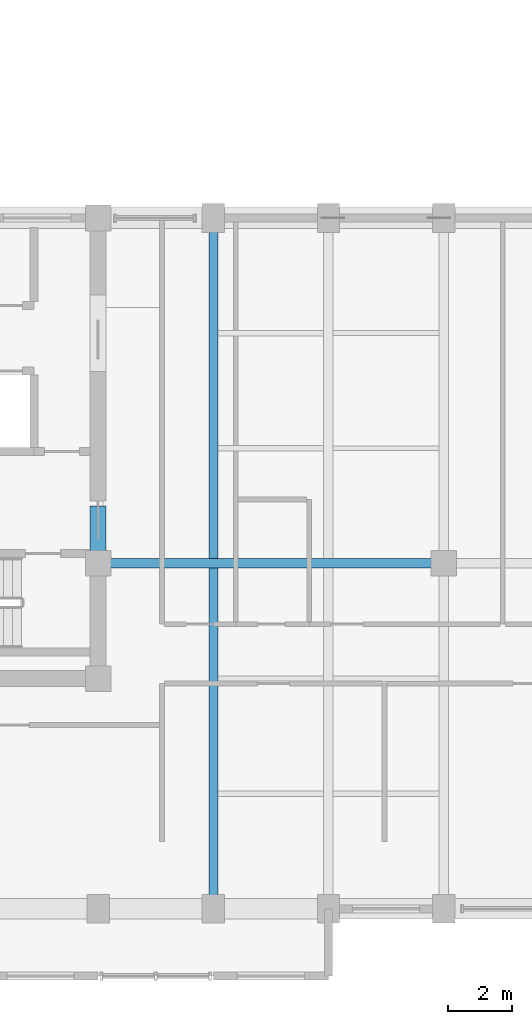
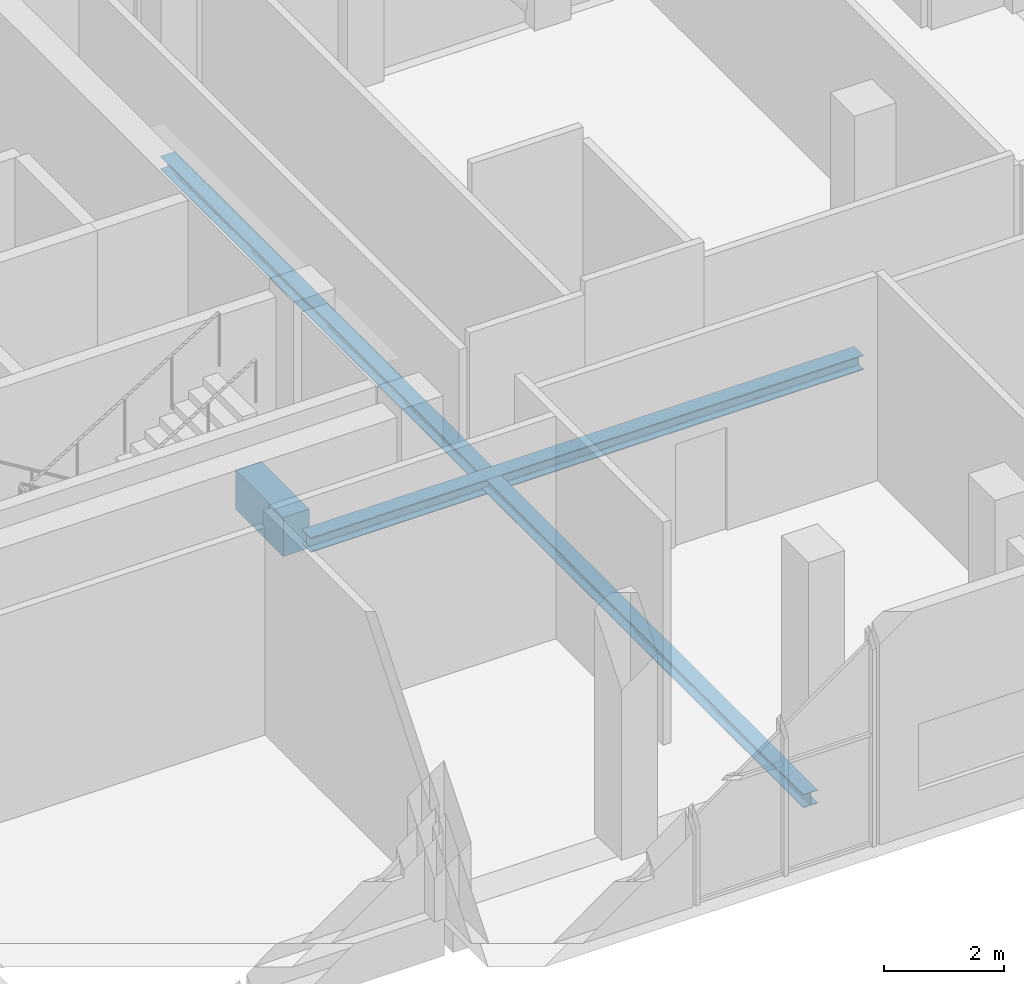
# One storey, part 4 of 16: 3 beams.
"""IFC4 building model written with IfcOpenShell, lengths in metres."""

from ifc_helpers import new_model, si_unit, direction, frame, origin, origin_2d, place, context, subcontext, project, spatial, rectangle, i_section, extrude, material, material_profile, profile_set, type_object, element, save


model = new_model("IFC4")

# Units and contexts
model_context = context("Model", 3, precision=1e-05, world=origin(), true_north=direction((0.0, 1.0)))
body_context = subcontext(model_context, "Body", "Model", "MODEL_VIEW")
ifc_project = project(units=[si_unit("LENGTHUNIT", "METRE"), si_unit("AREAUNIT", "SQUARE_METRE"), si_unit("VOLUMEUNIT", "CUBIC_METRE"), si_unit("PLANEANGLEUNIT", "RADIAN"), si_unit("MASSUNIT", "GRAM", prefix="KILO")], contexts=[model_context])

# Site, building, storey
site_placement = place(None, origin())
site = spatial("IfcSite", under=ifc_project, at=site_placement, CompositionType="ELEMENT")
building_placement = place(site_placement, origin())
building = spatial("IfcBuilding", under=site, at=building_placement, Name="Solnavia Interchange Tower", CompositionType="ELEMENT")
storey_placement = place(building_placement, frame((0.0, 0.0, 209.0)))
storey = spatial("IfcBuildingStorey", under=building, at=storey_placement, Name="L52", CompositionType="ELEMENT", Elevation=209.0)

# Beams
ifc_material_1 = material(Name="Concrete C50/60", Category="concrete")
ifc_material_profile_1 = material_profile(ifc_material_1, rectangle(XDim=0.5, YDim=0.800048828125, at=origin_2d()), Name="RC 500x800")
ifc_profile_set_1 = profile_set([ifc_material_profile_1], Name="Concrete C50/60")
beam_type_1 = type_object("IfcBeamType", Name="Beam-Coupling-RC500x800", PredefinedType="LINTEL", material=ifc_profile_set_1)
beam_1_placement = place(storey_placement, frame((32.39990234375, 14.60009765625, -0.39990234375), z_axis=(0.0, 1.0, 0.0), x_axis=(-1.0, 0.0, 0.0)))
element("IfcBeam", 1, at=beam_1_placement, inside=storey, type_object=beam_type_1, Name="CPB-L52-E1 Core coupling lintel beam", PredefinedType="LINTEL", context=body_context, shape_type="SweptSolid", body=[
    extrude(rectangle(XDim=0.5, YDim=0.800048828125, at=origin_2d()), origin(), (0.0, 0.0, 1.0), 1.599853515625),
])
ifc_material_2 = material(Name="Steel S460", Category="steel")
ifc_material_profile_2 = material_profile(ifc_material_2, i_section(OverallWidth=0.300048828125, OverallDepth=0.300048828125, WebThickness=0.010986328125, FlangeThickness=0.01904296875, FilletRadius=0.027099609375, at=origin_2d()), Name="HEB 300")
ifc_profile_set_2 = profile_set([ifc_material_profile_2], Name="Steel S460")
beam_type_2 = type_object("IfcBeamType", Name="Beam-Girder-HEB300", PredefinedType="BEAM", material=ifc_profile_set_2)
beam_2_placement = place(storey_placement, frame((32.47998046875, 14.39990234375, -0.469970703125), z_axis=(1.0, 0.0, 0.0), x_axis=(0.0, 1.0, 0.0)))
element("IfcBeam", 2, at=beam_2_placement, inside=storey, type_object=beam_type_2, Name="GRD-L52-ES01 East wing spine girder", PredefinedType="BEAM", context=body_context, shape_type="SweptSolid", body=[
    extrude(i_section(OverallWidth=0.300048828125, OverallDepth=0.300048828125, WebThickness=0.010986328125, FlangeThickness=0.01904296875, FilletRadius=0.027099609375, at=origin_2d()), origin(), (0.0, 0.0, 1.0), 10.64013671875),
])
ifc_material_3 = material(Name="Steel S355", Category="steel")
ifc_material_profile_3 = material_profile(ifc_material_3, i_section(OverallWidth=0.280029296875, OverallDepth=0.27001953125, WebThickness=0.008056640625, FlangeThickness=0.012939453125, FilletRadius=0.02392578125, at=origin_2d()), Name="HEA 280")
ifc_profile_set_3 = profile_set([ifc_material_profile_3], Name="Steel S355")
beam_type_3 = type_object("IfcBeamType", Name="Beam-Primary-HEA280", PredefinedType="BEAM", material=ifc_profile_set_3)
beam_3_placement = place(storey_placement, frame((36.0, 3.679931640625, -0.455078125), z_axis=(0.0, 1.0, 0.0), x_axis=(-1.0, 0.0, 0.0)))
element("IfcBeam", 3, at=beam_3_placement, inside=storey, type_object=beam_type_3, Name="GRD-L52-EW03 East wing primary floor girder", PredefinedType="BEAM", context=body_context, shape_type="SweptSolid", body=[
    extrude(i_section(OverallWidth=0.280029296875, OverallDepth=0.27001953125, WebThickness=0.008056640625, FlangeThickness=0.012939453125, FilletRadius=0.02392578125, at=origin_2d()), origin(), (0.0, 0.0, 1.0), 21.440185546875),
])

save(model, "model.ifc")
